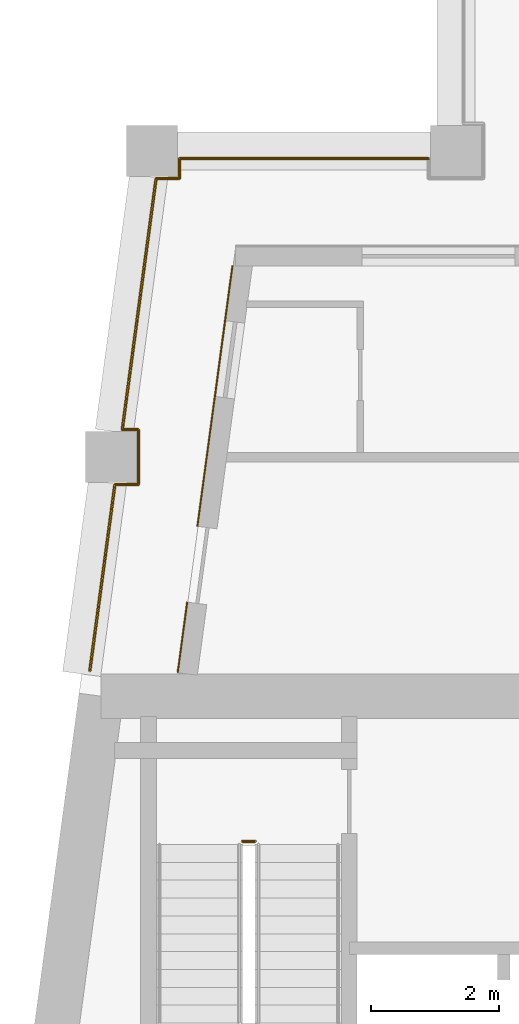
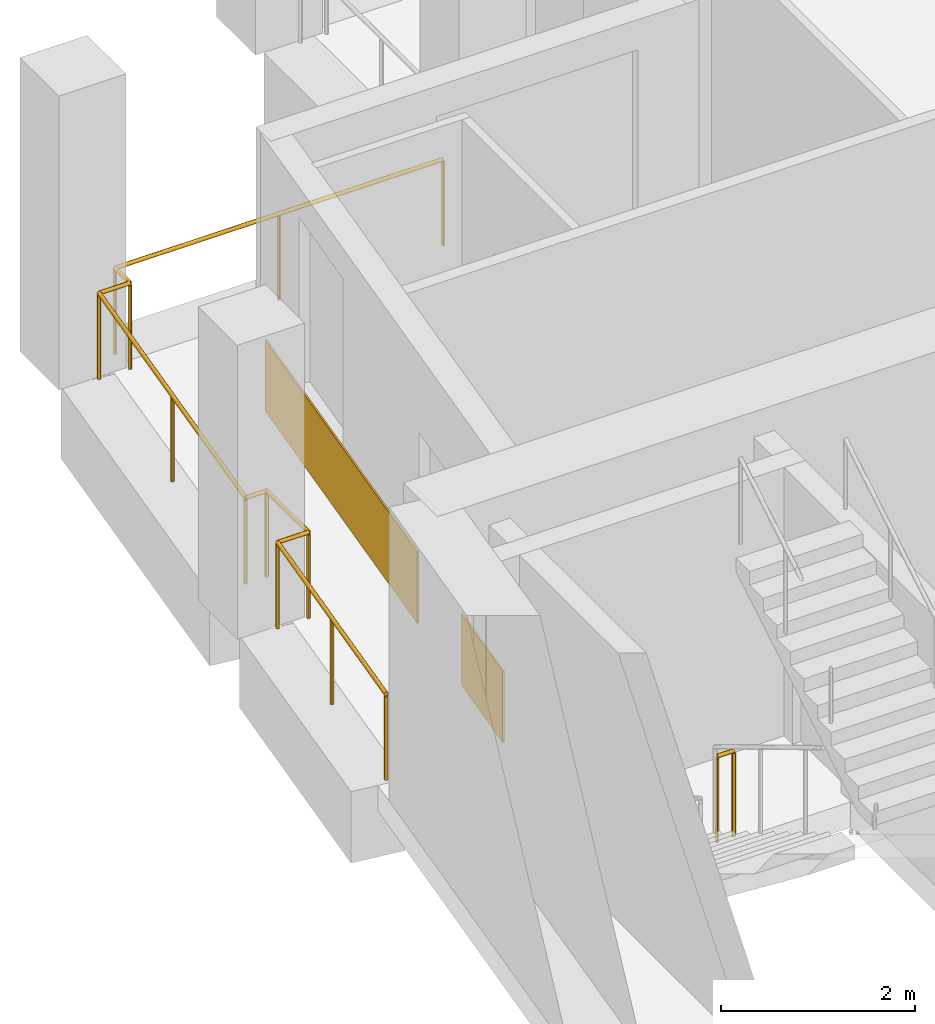
# One storey, part 10 of 13: 2 coverings, 2 railings.
"""IFC4 building model written with IfcOpenShell, lengths in metres."""

from ifc_helpers import new_model, si_unit, direction, frame, origin, origin_2d, place, context, subcontext, project, spatial, rectangle, circle, extrude, material, layer, layer_set, type_object, element, save


model = new_model("IFC4")

# Units and contexts
model_context = context("Model", 3, precision=1e-05, world=origin(), true_north=direction((0.0, 1.0)))
body_context = subcontext(model_context, "Body", "Model", "MODEL_VIEW")
ifc_project = project(units=[si_unit("LENGTHUNIT", "METRE"), si_unit("AREAUNIT", "SQUARE_METRE"), si_unit("VOLUMEUNIT", "CUBIC_METRE"), si_unit("PLANEANGLEUNIT", "RADIAN"), si_unit("MASSUNIT", "GRAM", prefix="KILO")], contexts=[model_context])

# Site, building, storey
site_placement = place(None, origin())
site = spatial("IfcSite", under=ifc_project, at=site_placement, CompositionType="ELEMENT")
building_placement = place(site_placement, origin())
building = spatial("IfcBuilding", under=site, at=building_placement, Name="Candeia Pilgrim Tower and Theatre", CompositionType="ELEMENT")
storey_placement = place(building_placement, frame((0.0, 0.0, 270.10009765625)))
storey = spatial("IfcBuildingStorey", under=building, at=storey_placement, Name="L65", CompositionType="ELEMENT", Elevation=270.10009765625)

# Railing
ifc_material_1 = material(Name="Stainless steel balustrade", Category="steel")
railing_type_1 = type_object("IfcRailingType", Name="G1 loggia guard 1100", PredefinedType="GUARDRAIL", material=ifc_material_1)
railing_1_placement = place(storey_placement, frame((88.758544921875, 132.449951171875, 0.0)))
element("IfcRailing", 1, at=railing_1_placement, inside=storey, type_object=railing_type_1, Name="Guard L65.4", PredefinedType="GUARDRAIL", context=body_context, shape_type="SweptSolid", body=[
    extrude(circle(Radius=0.02392578125, at=origin_2d()), frame((0.0, 0.0, 1.076171875), z_axis=(0.133401056725, 0.991062136329, 0.0), x_axis=(-0.991062136329, 0.133401056725, 0.0)), (0.0, 0.0, 1.0), 2.946533203125),
    extrude(circle(Radius=0.02392578125, at=origin_2d()), frame((0.39306640625, 2.920166015625, 1.076171875), z_axis=(1.0, 0.0, 0.0), x_axis=(0.0, 1.0, 0.0)), (0.0, 0.0, 1.0), 0.366943359375),
    extrude(circle(Radius=0.02392578125, at=origin_2d()), frame((0.760009765625, 2.920166015625, 1.076171875), z_axis=(0.0, 1.0, 0.0), x_axis=(-1.0, 0.0, 0.0)), (0.0, 0.0, 1.0), 0.85986328125),
    extrude(circle(Radius=0.02392578125, at=origin_2d()), frame((0.760009765625, 3.780029296875, 1.076171875), z_axis=(-1.0, 0.0, 0.0), x_axis=(0.0, -1.0, 0.0)), (0.0, 0.0, 1.0), 0.251220703125),
    extrude(circle(Radius=0.02392578125, at=origin_2d()), frame((0.5087890625, 3.780029296875, 1.076171875), z_axis=(0.133446811067, 0.99105597653, 0.0), x_axis=(-0.99105597653, 0.133446811067, 0.0)), (0.0, 0.0, 1.0), 3.9755859375),
    extrude(circle(Radius=0.02392578125, at=origin_2d()), frame((1.039306640625, 7.719970703125, 1.076171875), z_axis=(1.0, 0.0, 0.0), x_axis=(0.0, 1.0, 0.0)), (0.0, 0.0, 1.0), 0.36669921875),
    extrude(circle(Radius=0.02392578125, at=origin_2d()), frame((1.406005859375, 7.719970703125, 1.076171875), z_axis=(0.0, 1.0, 0.0), x_axis=(-1.0, 0.0, 0.0)), (0.0, 0.0, 1.0), 0.31005859375),
    extrude(circle(Radius=0.02392578125, at=origin_2d()), frame((1.406005859375, 8.030029296875, 1.076171875), z_axis=(1.0, 0.0, 0.0), x_axis=(0.0, 1.0, 0.0)), (0.0, 0.0, 1.0), 3.905517578125),
    extrude(circle(Radius=0.02099609375, at=origin_2d()), origin(), (0.0, 0.0, 1.0), 1.052001953125),
    extrude(circle(Radius=0.02099609375, at=origin_2d()), frame((0.196533203125, 1.4599609375, 0.0)), (0.0, 0.0, 1.0), 1.052001953125),
    extrude(circle(Radius=0.02099609375, at=origin_2d()), frame((0.39306640625, 2.920166015625, 0.0)), (0.0, 0.0, 1.0), 1.052001953125),
    extrude(circle(Radius=0.02099609375, at=origin_2d()), frame((0.760009765625, 2.920166015625, 0.0)), (0.0, 0.0, 1.0), 1.052001953125),
    extrude(circle(Radius=0.02099609375, at=origin_2d()), frame((0.760009765625, 3.780029296875, 0.0)), (0.0, 0.0, 1.0), 1.052001953125),
    extrude(circle(Radius=0.02099609375, at=origin_2d()), frame((0.5087890625, 3.780029296875, 0.0)), (0.0, 0.0, 1.0), 1.052001953125),
    extrude(circle(Radius=0.02099609375, at=origin_2d()), frame((0.77392578125, 5.75, 0.0)), (0.0, 0.0, 1.0), 1.052001953125),
    extrude(circle(Radius=0.02099609375, at=origin_2d()), frame((1.039306640625, 7.719970703125, 0.0)), (0.0, 0.0, 1.0), 1.052001953125),
    extrude(circle(Radius=0.02099609375, at=origin_2d()), frame((1.406005859375, 7.719970703125, 0.0)), (0.0, 0.0, 1.0), 1.052001953125),
    extrude(circle(Radius=0.02099609375, at=origin_2d()), frame((1.406005859375, 8.030029296875, 0.0)), (0.0, 0.0, 1.0), 1.052001953125),
    extrude(circle(Radius=0.02099609375, at=origin_2d()), frame((3.35888671875, 8.030029296875, 0.0)), (0.0, 0.0, 1.0), 1.052001953125),
    extrude(circle(Radius=0.02099609375, at=origin_2d()), frame((5.3115234375, 8.030029296875, 0.0)), (0.0, 0.0, 1.0), 1.052001953125),
])

# Coverings
ifc_material_2 = material(Name="Glazed ceramic tile rust")
ifc_layer = layer(ifc_material_2, 0.02001953125)
ifc_layer_set = layer_set([ifc_layer], Name="Glazed ceramic tile rust")
covering_type = type_object("IfcCoveringType", Name="Glazed ceramic tile rust", PredefinedType="CLADDING", material=ifc_layer_set)
covering_1_placement = place(storey_placement, frame((90.720947265625, 136.759521484375, 0.0), z_axis=(0.0, 0.0, 1.0), x_axis=(-0.133412012145, -0.991060661622, 0.0)))
element("IfcCovering", 2, at=covering_1_placement, inside=storey, type_object=covering_type, Name="Tile cladding rust L65", PredefinedType="CLADDING", context=body_context, shape_type="SweptSolid", body=[
    extrude(rectangle(XDim=4.123779296875, YDim=0.02001953125, at=origin_2d()), origin(), (0.0, 0.0, 1.0), 0.89990234375),
])
covering_2_placement = place(storey_placement, frame((90.21142578125, 132.97412109375, 0.0), z_axis=(0.0, 0.0, 1.0), x_axis=(-0.133412012145, -0.991060661622, 0.0)))
element("IfcCovering", 3, at=covering_2_placement, inside=storey, type_object=covering_type, Name="Tile cladding rust L65", PredefinedType="CLADDING", context=body_context, shape_type="SweptSolid", body=[
    extrude(rectangle(XDim=1.115234375, YDim=0.02001953125, at=origin_2d()), origin(), (0.0, 0.0, 1.0), 0.89990234375),
])

# Railing
railing_type_2 = type_object("IfcRailingType", Name="RL-GUARD-1100", PredefinedType="GUARDRAIL", material=ifc_material_1)
railing_2_placement = place(storey_placement, frame((91.152099609375, 129.77490234375, 0.0)))
element("IfcRailing", 4, at=railing_2_placement, inside=storey, type_object=railing_type_2, Name="L65 ST2 stair guard 2", PredefinedType="GUARDRAIL", context=body_context, shape_type="SweptSolid", body=[
    extrude(circle(Radius=0.02392578125, at=origin_2d()), frame((0.0, 0.0, 1.076171875), z_axis=(1.0, 0.0, 0.0), x_axis=(0.0, 1.0, 0.0)), (0.0, 0.0, 1.0), 0.199951171875),
    extrude(circle(Radius=0.02099609375, at=origin_2d()), origin(), (0.0, 0.0, 1.0), 1.052001953125),
    extrude(circle(Radius=0.02099609375, at=origin_2d()), frame((0.199951171875, 0.0, 0.0)), (0.0, 0.0, 1.0), 1.052001953125),
])

save(model, "model.ifc")
